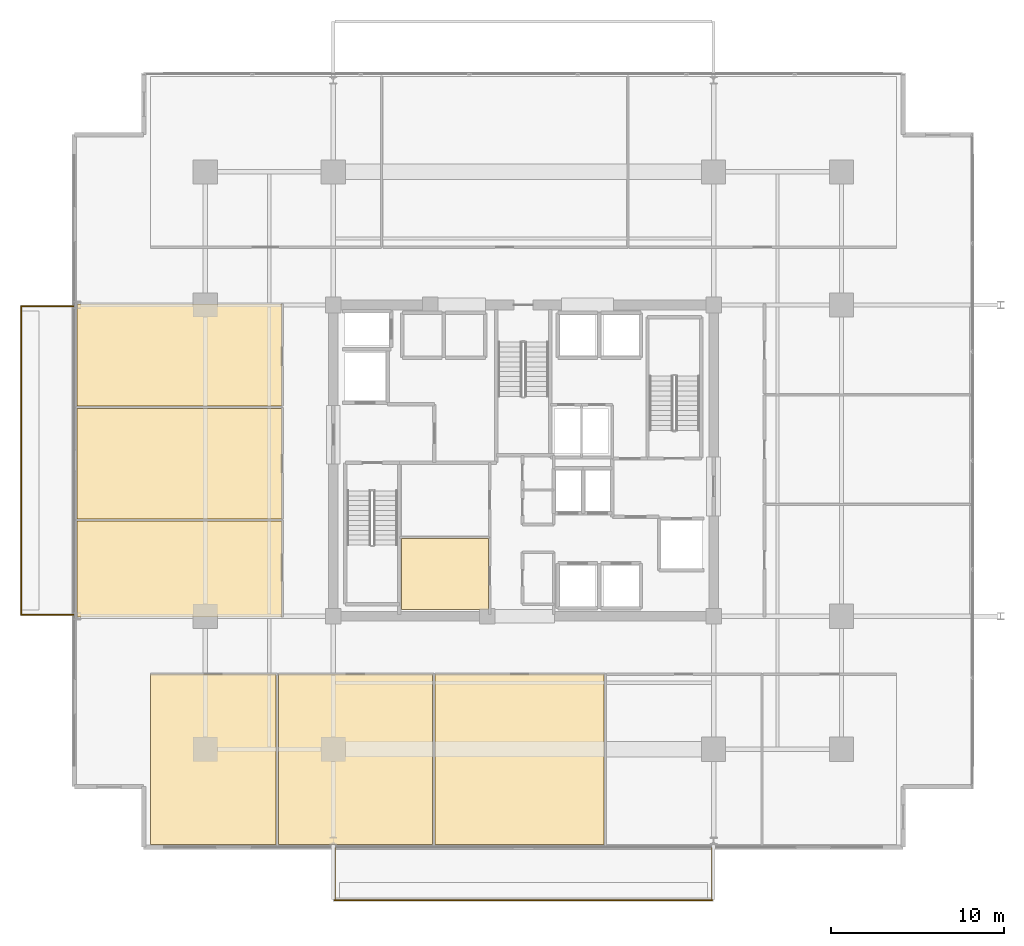
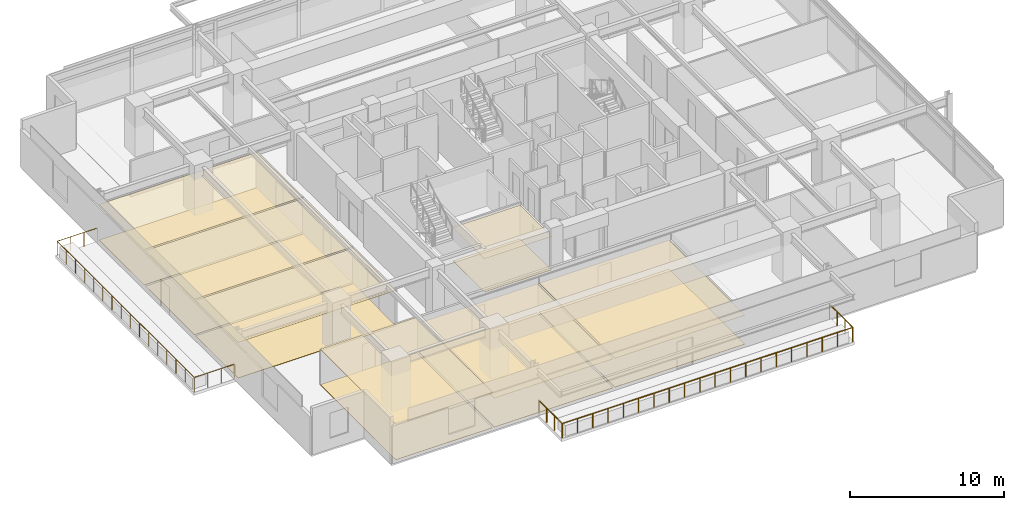
# One storey, part 18 of 22: 14 coverings, 2 railings.
"""IFC4 building model written with IfcOpenShell, lengths in metres."""

from ifc_helpers import new_model, si_unit, direction, frame, origin, origin_2d, place, context, subcontext, project, spatial, polyline, circle, outline, extrude, material, layer, layer_set, type_object, element, save


model = new_model("IFC4")

# Units and contexts
model_context = context("Model", 3, precision=1e-05, world=origin(), true_north=direction((0.0, 1.0)))
body_context = subcontext(model_context, "Body", "Model", "MODEL_VIEW")
ifc_project = project(units=[si_unit("LENGTHUNIT", "METRE"), si_unit("AREAUNIT", "SQUARE_METRE"), si_unit("VOLUMEUNIT", "CUBIC_METRE"), si_unit("PLANEANGLEUNIT", "RADIAN"), si_unit("MASSUNIT", "GRAM", prefix="KILO")], contexts=[model_context])

# Site, building, storey
site_placement = place(None, origin())
site = spatial("IfcSite", under=ifc_project, at=site_placement, CompositionType="ELEMENT")
building_placement = place(site_placement, origin())
building = spatial("IfcBuilding", under=site, at=building_placement, Name="Kovane Verandah Tower", CompositionType="ELEMENT")
storey_placement = place(building_placement, frame((0.0, 0.0, 229.199951171875)))
storey = spatial("IfcBuildingStorey", under=building, at=storey_placement, Name="L53", CompositionType="ELEMENT", Elevation=229.199951171875)

# Coverings
ifc_material_1 = material(Name="Perforated Acoustic Mineral-Fibre Ceiling Tile", Category="gypsum")
ifc_layer_1 = layer(ifc_material_1, 0.02490234375)
ifc_layer_set_1 = layer_set([ifc_layer_1], Name="Perforated Acoustic Mineral-Fibre Ceiling Tile")
covering_type_1 = type_object("IfcCoveringType", Name="CV-CEIL-25", PredefinedType="CEILING", material=ifc_layer_set_1)
covering_1_placement = place(storey_placement, frame((0.0, 0.0, 2.655029296875)))
element("IfcCovering", 1, at=covering_1_placement, inside=storey, type_object=covering_type_1, Name="L53 IT Server Room Acoustic Ceiling", PredefinedType="CEILING", context=body_context, shape_type="SweptSolid", body=[
    extrude(outline(polyline([(32.93505859375, 18.885009765625), (37.9951171875, 18.885009765625), (37.9951171875, 22.9951171875), (32.93505859375, 22.9951171875), (32.93505859375, 18.885009765625)])), origin(), (0.0, 0.0, 1.0), 0.02490234375),
])
covering_2_placement = place(storey_placement, frame((0.0, 0.0, 2.824951171875)))
element("IfcCovering", 2, at=covering_2_placement, inside=storey, type_object=covering_type_1, Name="L53 Breakout Pantry S1 Acoustic Ceiling", PredefinedType="CEILING", context=body_context, shape_type="SweptSolid", body=[
    extrude(outline(polyline([(18.4306640625, 5.289794921875), (25.6943359375, 5.289794921875), (25.6943359375, 15.14990234375), (18.4306640625, 15.14990234375), (18.4306640625, 5.289794921875)])), origin(), (0.0, 0.0, 1.0), 0.025146484375),
])
covering_3_placement = place(storey_placement, frame((0.0, 0.0, 2.304931640625)))
element("IfcCovering", 3, at=covering_3_placement, inside=storey, type_object=covering_type_1, Name="L53 Collaboration Hub S2 Acoustic Ceiling", PredefinedType="CEILING", context=body_context, shape_type="SweptSolid", body=[
    extrude(outline(polyline([(25.834228515625, 5.289794921875), (34.75341796875, 5.289794921875), (34.75341796875, 15.14990234375), (25.834228515625, 15.14990234375), (25.834228515625, 5.289794921875)])), origin(), (0.0, 0.0, 1.0), 0.025146484375),
])
covering_4_placement = place(storey_placement, frame((0.0, 0.0, 2.304931640625)))
element("IfcCovering", 4, at=covering_4_placement, inside=storey, type_object=covering_type_1, Name="L53 Document and Print Room S3 Acoustic Ceiling", PredefinedType="CEILING", context=body_context, shape_type="SweptSolid", body=[
    extrude(outline(polyline([(34.893310546875, 5.289794921875), (44.67529296875, 5.289794921875), (44.67529296875, 15.14990234375), (34.893310546875, 15.14990234375), (34.893310546875, 5.289794921875)])), origin(), (0.0, 0.0, 1.0), 0.025146484375),
])
covering_5_placement = place(storey_placement, frame((0.0, 0.0, 2.824951171875)))
element("IfcCovering", 5, at=covering_5_placement, inside=storey, type_object=covering_type_1, Name="L53 Client Boardroom W1 Acoustic Ceiling", PredefinedType="CEILING", context=body_context, shape_type="SweptSolid", body=[
    extrude(outline(polyline([(14.1806640625, 18.449951171875), (26.050048828125, 18.449951171875), (26.050048828125, 23.990966796875), (14.1806640625, 23.990966796875), (14.1806640625, 18.449951171875)])), origin(), (0.0, 0.0, 1.0), 0.025146484375),
])
covering_6_placement = place(storey_placement, frame((0.0, 0.0, 2.824951171875)))
element("IfcCovering", 6, at=covering_6_placement, inside=storey, type_object=covering_type_1, Name="L53 Meeting Room W2 Acoustic Ceiling", PredefinedType="CEILING", context=body_context, shape_type="SweptSolid", body=[
    extrude(outline(polyline([(14.1806640625, 24.131103515625), (26.050048828125, 24.131103515625), (26.050048828125, 30.507080078125), (14.1806640625, 30.507080078125), (14.1806640625, 24.131103515625)])), origin(), (0.0, 0.0, 1.0), 0.025146484375),
])
covering_7_placement = place(storey_placement, frame((0.0, 0.0, 2.824951171875)))
element("IfcCovering", 7, at=covering_7_placement, inside=storey, type_object=covering_type_1, Name="L53 Focus Studio W3 Acoustic Ceiling", PredefinedType="CEILING", context=body_context, shape_type="SweptSolid", body=[
    extrude(outline(polyline([(14.1806640625, 30.64697265625), (26.050048828125, 30.64697265625), (26.050048828125, 36.550048828125), (14.1806640625, 36.550048828125), (14.1806640625, 30.64697265625)])), origin(), (0.0, 0.0, 1.0), 0.025146484375),
])
ifc_material_2 = material(Name="Polished Terrazzo and Raised-Access Carpet Tile Finish", Category="concrete")
ifc_layer_2 = layer(ifc_material_2, 0.030029296875)
ifc_layer_set_2 = layer_set([ifc_layer_2], Name="Polished Terrazzo and Raised-Access Carpet Tile Finish")
covering_type_2 = type_object("IfcCoveringType", Name="CV-FLOR-30", PredefinedType="FLOORING", material=ifc_layer_set_2)
covering_8_placement = place(storey_placement, origin())
element("IfcCovering", 8, at=covering_8_placement, inside=storey, type_object=covering_type_2, Name="L53 IT Server Room Floor Finish", PredefinedType="FLOORING", context=body_context, shape_type="SweptSolid", body=[
    extrude(outline(polyline([(32.949951171875, 18.89990234375), (37.97998046875, 18.89990234375), (37.97998046875, 22.97998046875), (32.949951171875, 22.97998046875), (32.949951171875, 18.89990234375)])), origin(), (0.0, 0.0, 1.0), 0.030029296875),
])
covering_9_placement = place(storey_placement, origin())
element("IfcCovering", 9, at=covering_9_placement, inside=storey, type_object=covering_type_2, Name="L53 Breakout Pantry S1 Floor Finish", PredefinedType="FLOORING", context=body_context, shape_type="SweptSolid", body=[
    extrude(outline(polyline([(18.4306640625, 5.289794921875), (25.6943359375, 5.289794921875), (25.6943359375, 15.14990234375), (18.4306640625, 15.14990234375), (18.4306640625, 5.289794921875)])), origin(), (0.0, 0.0, 1.0), 0.030029296875),
])
covering_10_placement = place(storey_placement, origin())
element("IfcCovering", 10, at=covering_10_placement, inside=storey, type_object=covering_type_2, Name="L53 Collaboration Hub S2 Floor Finish", PredefinedType="FLOORING", context=body_context, shape_type="SweptSolid", body=[
    extrude(outline(polyline([(25.834228515625, 5.289794921875), (34.75341796875, 5.289794921875), (34.75341796875, 15.14990234375), (25.834228515625, 15.14990234375), (25.834228515625, 5.289794921875)])), origin(), (0.0, 0.0, 1.0), 0.030029296875),
])
covering_11_placement = place(storey_placement, origin())
element("IfcCovering", 11, at=covering_11_placement, inside=storey, type_object=covering_type_2, Name="L53 Document and Print Room S3 Floor Finish", PredefinedType="FLOORING", context=body_context, shape_type="SweptSolid", body=[
    extrude(outline(polyline([(34.893310546875, 5.289794921875), (44.67529296875, 5.289794921875), (44.67529296875, 15.14990234375), (34.893310546875, 15.14990234375), (34.893310546875, 5.289794921875)])), origin(), (0.0, 0.0, 1.0), 0.030029296875),
])
covering_12_placement = place(storey_placement, origin())
element("IfcCovering", 12, at=covering_12_placement, inside=storey, type_object=covering_type_2, Name="L53 Client Boardroom W1 Floor Finish", PredefinedType="FLOORING", context=body_context, shape_type="SweptSolid", body=[
    extrude(outline(polyline([(14.1806640625, 18.449951171875), (26.050048828125, 18.449951171875), (26.050048828125, 23.990966796875), (14.1806640625, 23.990966796875), (14.1806640625, 18.449951171875)])), origin(), (0.0, 0.0, 1.0), 0.030029296875),
])
covering_13_placement = place(storey_placement, origin())
element("IfcCovering", 13, at=covering_13_placement, inside=storey, type_object=covering_type_2, Name="L53 Meeting Room W2 Floor Finish", PredefinedType="FLOORING", context=body_context, shape_type="SweptSolid", body=[
    extrude(outline(polyline([(14.1806640625, 24.131103515625), (26.050048828125, 24.131103515625), (26.050048828125, 30.507080078125), (14.1806640625, 30.507080078125), (14.1806640625, 24.131103515625)])), origin(), (0.0, 0.0, 1.0), 0.030029296875),
])
covering_14_placement = place(storey_placement, origin())
element("IfcCovering", 14, at=covering_14_placement, inside=storey, type_object=covering_type_2, Name="L53 Focus Studio W3 Floor Finish", PredefinedType="FLOORING", context=body_context, shape_type="SweptSolid", body=[
    extrude(outline(polyline([(14.1806640625, 30.64697265625), (26.050048828125, 30.64697265625), (26.050048828125, 36.550048828125), (14.1806640625, 36.550048828125), (14.1806640625, 30.64697265625)])), origin(), (0.0, 0.0, 1.0), 0.030029296875),
])

# Railings
ifc_material_3 = material(Name="Laminated Glass and Pale-Champagne Stainless Balustrade", Category="glass")
railing_type = type_object("IfcRailingType", Name="RL-BAL-1150", PredefinedType="BALUSTRADE", material=ifc_material_3)
railing_1_placement = place(storey_placement, frame((29.080078125, 5.08984375, 0.0)))
element("IfcRailing", 15, at=railing_1_placement, inside=storey, type_object=railing_type, Name="L53 S Verandah Glass Balustrade", PredefinedType="BALUSTRADE", context=body_context, shape_type="SweptSolid", body=[
    extrude(circle(Radius=0.02392578125, at=origin_2d()), frame((0.0, 0.0, 1.1259765625), z_axis=(0.0, -1.0, 0.0), x_axis=(1.0, 0.0, 0.0)), (0.0, 0.0, 1.0), 3.02001953125),
    extrude(circle(Radius=0.02392578125, at=origin_2d()), frame((0.0, -3.02001953125, 1.1259765625), z_axis=(1.0, 0.0, 0.0), x_axis=(0.0, 1.0, 0.0)), (0.0, 0.0, 1.0), 21.83984375),
    extrude(circle(Radius=0.02392578125, at=origin_2d()), frame((21.83984375, -3.02001953125, 1.1259765625), z_axis=(0.0, 1.0, 0.0), x_axis=(-1.0, 0.0, 0.0)), (0.0, 0.0, 1.0), 3.02001953125),
    extrude(circle(Radius=0.02099609375, at=origin_2d()), origin(), (0.0, 0.0, 1.0), 1.101806640625),
    extrude(circle(Radius=0.02099609375, at=origin_2d()), frame((0.0, -1.006591796875, 0.0)), (0.0, 0.0, 1.0), 1.101806640625),
    extrude(circle(Radius=0.02099609375, at=origin_2d()), frame((0.0, -2.013427734375, 0.0)), (0.0, 0.0, 1.0), 1.101806640625),
    extrude(circle(Radius=0.02099609375, at=origin_2d()), frame((0.0, -3.02001953125, 0.0)), (0.0, 0.0, 1.0), 1.101806640625),
    extrude(circle(Radius=0.02099609375, at=origin_2d()), frame((1.1494140625, -3.02001953125, 0.0)), (0.0, 0.0, 1.0), 1.101806640625),
    extrude(circle(Radius=0.02099609375, at=origin_2d()), frame((2.298828125, -3.02001953125, 0.0)), (0.0, 0.0, 1.0), 1.101806640625),
    extrude(circle(Radius=0.02099609375, at=origin_2d()), frame((3.448486328125, -3.02001953125, 0.0)), (0.0, 0.0, 1.0), 1.101806640625),
    extrude(circle(Radius=0.02099609375, at=origin_2d()), frame((4.597900390625, -3.02001953125, 0.0)), (0.0, 0.0, 1.0), 1.101806640625),
    extrude(circle(Radius=0.02099609375, at=origin_2d()), frame((5.747314453125, -3.02001953125, 0.0)), (0.0, 0.0, 1.0), 1.101806640625),
    extrude(circle(Radius=0.02099609375, at=origin_2d()), frame((6.896728515625, -3.02001953125, 0.0)), (0.0, 0.0, 1.0), 1.101806640625),
    extrude(circle(Radius=0.02099609375, at=origin_2d()), frame((8.046142578125, -3.02001953125, 0.0)), (0.0, 0.0, 1.0), 1.101806640625),
    extrude(circle(Radius=0.02099609375, at=origin_2d()), frame((9.19580078125, -3.02001953125, 0.0)), (0.0, 0.0, 1.0), 1.101806640625),
    extrude(circle(Radius=0.02099609375, at=origin_2d()), frame((10.34521484375, -3.02001953125, 0.0)), (0.0, 0.0, 1.0), 1.101806640625),
    extrude(circle(Radius=0.02099609375, at=origin_2d()), frame((11.49462890625, -3.02001953125, 0.0)), (0.0, 0.0, 1.0), 1.101806640625),
    extrude(circle(Radius=0.02099609375, at=origin_2d()), frame((12.64404296875, -3.02001953125, 0.0)), (0.0, 0.0, 1.0), 1.101806640625),
    extrude(circle(Radius=0.02099609375, at=origin_2d()), frame((13.793701171875, -3.02001953125, 0.0)), (0.0, 0.0, 1.0), 1.101806640625),
    extrude(circle(Radius=0.02099609375, at=origin_2d()), frame((14.943115234375, -3.02001953125, 0.0)), (0.0, 0.0, 1.0), 1.101806640625),
    extrude(circle(Radius=0.02099609375, at=origin_2d()), frame((16.092529296875, -3.02001953125, 0.0)), (0.0, 0.0, 1.0), 1.101806640625),
    extrude(circle(Radius=0.02099609375, at=origin_2d()), frame((17.241943359375, -3.02001953125, 0.0)), (0.0, 0.0, 1.0), 1.101806640625),
    extrude(circle(Radius=0.02099609375, at=origin_2d()), frame((18.391357421875, -3.02001953125, 0.0)), (0.0, 0.0, 1.0), 1.101806640625),
    extrude(circle(Radius=0.02099609375, at=origin_2d()), frame((19.541015625, -3.02001953125, 0.0)), (0.0, 0.0, 1.0), 1.101806640625),
    extrude(circle(Radius=0.02099609375, at=origin_2d()), frame((20.6904296875, -3.02001953125, 0.0)), (0.0, 0.0, 1.0), 1.101806640625),
    extrude(circle(Radius=0.02099609375, at=origin_2d()), frame((21.83984375, -3.02001953125, 0.0)), (0.0, 0.0, 1.0), 1.101806640625),
    extrude(circle(Radius=0.02099609375, at=origin_2d()), frame((21.83984375, -2.013427734375, 0.0)), (0.0, 0.0, 1.0), 1.101806640625),
    extrude(circle(Radius=0.02099609375, at=origin_2d()), frame((21.83984375, -1.006591796875, 0.0)), (0.0, 0.0, 1.0), 1.101806640625),
    extrude(circle(Radius=0.02099609375, at=origin_2d()), frame((21.83984375, 0.0, 0.0)), (0.0, 0.0, 1.0), 1.101806640625),
])
railing_2_placement = place(storey_placement, frame((13.980712890625, 18.580078125, 0.0)))
element("IfcRailing", 16, at=railing_2_placement, inside=storey, type_object=railing_type, Name="L53 W Verandah Glass Balustrade", PredefinedType="BALUSTRADE", context=body_context, shape_type="SweptSolid", body=[
    extrude(circle(Radius=0.02392578125, at=origin_2d()), frame((0.0, 0.0, 1.1259765625), z_axis=(-1.0, 0.0, 0.0), x_axis=(0.0, -1.0, 0.0)), (0.0, 0.0, 1.0), 3.02001953125),
    extrude(circle(Radius=0.02392578125, at=origin_2d()), frame((-3.02001953125, 0.0, 1.1259765625), z_axis=(0.0, 1.0, 0.0), x_axis=(-1.0, 0.0, 0.0)), (0.0, 0.0, 1.0), 17.83984375),
    extrude(circle(Radius=0.02392578125, at=origin_2d()), frame((-3.02001953125, 17.83984375, 1.1259765625), z_axis=(1.0, 0.0, 0.0), x_axis=(0.0, 1.0, 0.0)), (0.0, 0.0, 1.0), 3.02001953125),
    extrude(circle(Radius=0.02099609375, at=origin_2d()), origin(), (0.0, 0.0, 1.0), 1.101806640625),
    extrude(circle(Radius=0.02099609375, at=origin_2d()), frame((-1.006591796875, 0.0, 0.0)), (0.0, 0.0, 1.0), 1.101806640625),
    extrude(circle(Radius=0.02099609375, at=origin_2d()), frame((-2.013427734375, 0.0, 0.0)), (0.0, 0.0, 1.0), 1.101806640625),
    extrude(circle(Radius=0.02099609375, at=origin_2d()), frame((-3.02001953125, 0.0, 0.0)), (0.0, 0.0, 1.0), 1.101806640625),
    extrude(circle(Radius=0.02099609375, at=origin_2d()), frame((-3.02001953125, 1.189208984375, 0.0)), (0.0, 0.0, 1.0), 1.101806640625),
    extrude(circle(Radius=0.02099609375, at=origin_2d()), frame((-3.02001953125, 2.378662109375, 0.0)), (0.0, 0.0, 1.0), 1.101806640625),
    extrude(circle(Radius=0.02099609375, at=origin_2d()), frame((-3.02001953125, 3.56787109375, 0.0)), (0.0, 0.0, 1.0), 1.101806640625),
    extrude(circle(Radius=0.02099609375, at=origin_2d()), frame((-3.02001953125, 4.75732421875, 0.0)), (0.0, 0.0, 1.0), 1.101806640625),
    extrude(circle(Radius=0.02099609375, at=origin_2d()), frame((-3.02001953125, 5.946533203125, 0.0)), (0.0, 0.0, 1.0), 1.101806640625),
    extrude(circle(Radius=0.02099609375, at=origin_2d()), frame((-3.02001953125, 7.135986328125, 0.0)), (0.0, 0.0, 1.0), 1.101806640625),
    extrude(circle(Radius=0.02099609375, at=origin_2d()), frame((-3.02001953125, 8.3251953125, 0.0)), (0.0, 0.0, 1.0), 1.101806640625),
    extrude(circle(Radius=0.02099609375, at=origin_2d()), frame((-3.02001953125, 9.5146484375, 0.0)), (0.0, 0.0, 1.0), 1.101806640625),
    extrude(circle(Radius=0.02099609375, at=origin_2d()), frame((-3.02001953125, 10.703857421875, 0.0)), (0.0, 0.0, 1.0), 1.101806640625),
    extrude(circle(Radius=0.02099609375, at=origin_2d()), frame((-3.02001953125, 11.893310546875, 0.0)), (0.0, 0.0, 1.0), 1.101806640625),
    extrude(circle(Radius=0.02099609375, at=origin_2d()), frame((-3.02001953125, 13.08251953125, 0.0)), (0.0, 0.0, 1.0), 1.101806640625),
    extrude(circle(Radius=0.02099609375, at=origin_2d()), frame((-3.02001953125, 14.27197265625, 0.0)), (0.0, 0.0, 1.0), 1.101806640625),
    extrude(circle(Radius=0.02099609375, at=origin_2d()), frame((-3.02001953125, 15.461181640625, 0.0)), (0.0, 0.0, 1.0), 1.101806640625),
    extrude(circle(Radius=0.02099609375, at=origin_2d()), frame((-3.02001953125, 16.650634765625, 0.0)), (0.0, 0.0, 1.0), 1.101806640625),
    extrude(circle(Radius=0.02099609375, at=origin_2d()), frame((-3.02001953125, 17.83984375, 0.0)), (0.0, 0.0, 1.0), 1.101806640625),
    extrude(circle(Radius=0.02099609375, at=origin_2d()), frame((-2.013427734375, 17.83984375, 0.0)), (0.0, 0.0, 1.0), 1.101806640625),
    extrude(circle(Radius=0.02099609375, at=origin_2d()), frame((-1.006591796875, 17.83984375, 0.0)), (0.0, 0.0, 1.0), 1.101806640625),
    extrude(circle(Radius=0.02099609375, at=origin_2d()), frame((0.0, 17.83984375, 0.0)), (0.0, 0.0, 1.0), 1.101806640625),
])

save(model, "model.ifc")
